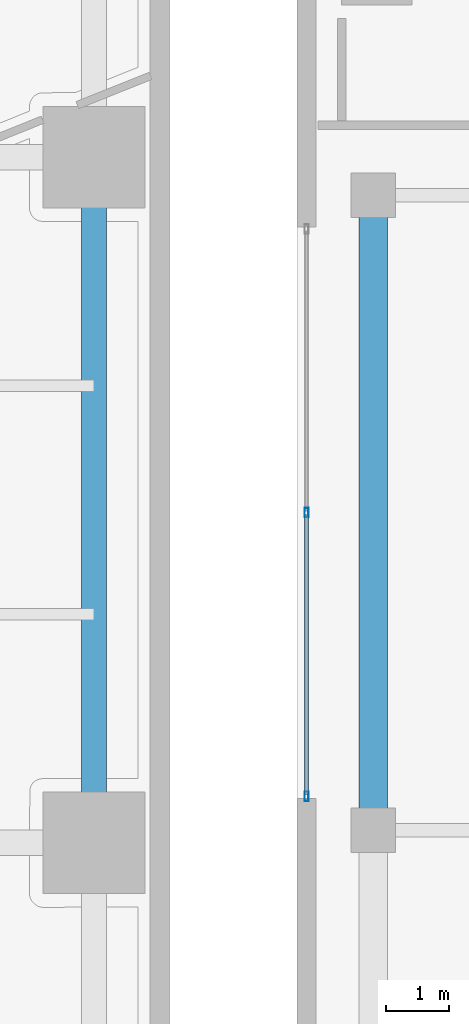
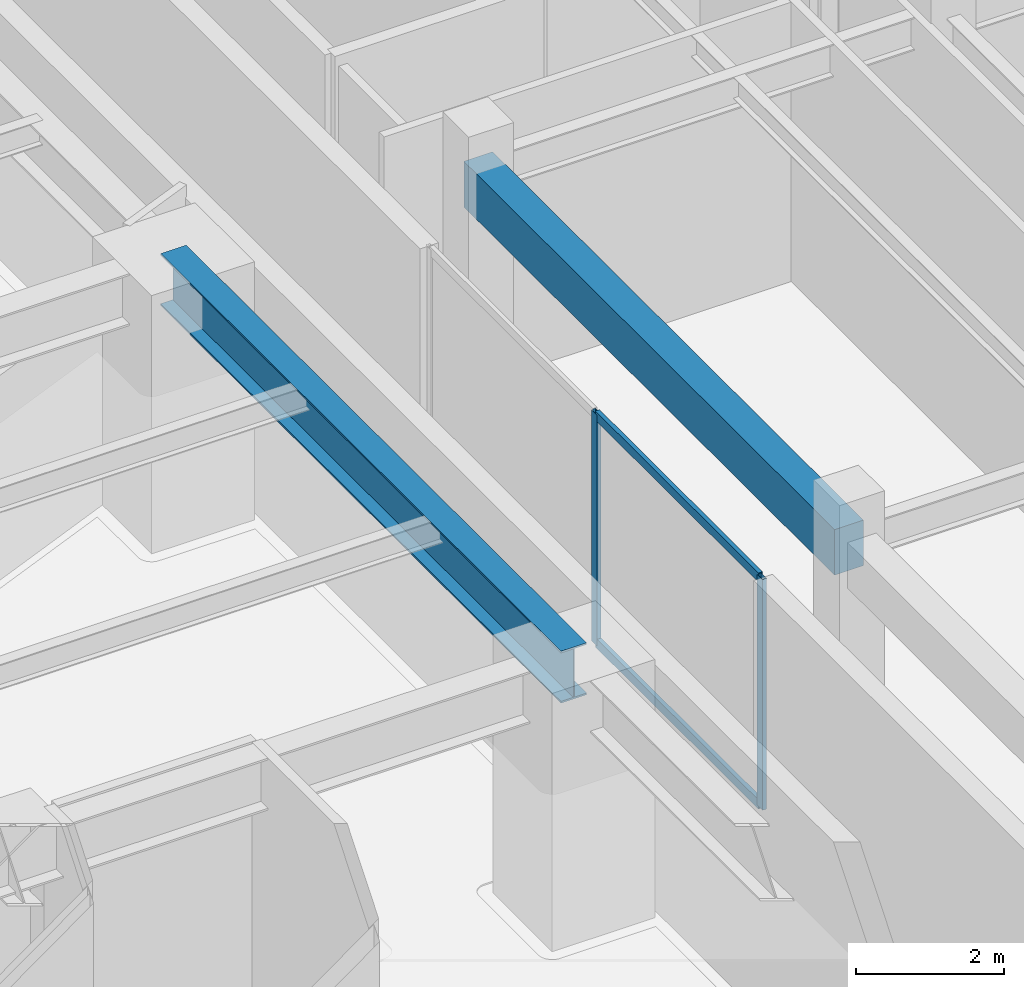
# One storey, part 8 of 25: 4 members, 2 beams, 1 element without a shape of its own.
"""IFC4 building model written with IfcOpenShell, lengths in metres."""

from ifc_helpers import new_model, si_unit, direction, frame, origin, origin_2d, place, context, subcontext, project, spatial, rectangle, hollow_rectangle, i_section, extrude, source, transform, mapped, material, layer, layer_set, material_profile, profile_set, type_object, type_shapes, element, aggregate, save


model = new_model("IFC4")

# Units and contexts
model_context = context("Model", 3, precision=1e-05, world=origin(), true_north=direction((0.0, 1.0)))
body_context = subcontext(model_context, "Body", "Model", "MODEL_VIEW")
ifc_project = project(units=[si_unit("LENGTHUNIT", "METRE"), si_unit("AREAUNIT", "SQUARE_METRE"), si_unit("VOLUMEUNIT", "CUBIC_METRE"), si_unit("PLANEANGLEUNIT", "RADIAN"), si_unit("MASSUNIT", "GRAM", prefix="KILO")], contexts=[model_context])

# Site, building, storey
site_placement = place(None, origin())
site = spatial("IfcSite", under=ifc_project, at=site_placement, CompositionType="ELEMENT")
building_placement = place(site_placement, origin())
building = spatial("IfcBuilding", under=site, at=building_placement, Name="Talar Marvaseh", CompositionType="ELEMENT")
storey_placement = place(building_placement, frame((0.0, 0.0, 14.39990234375)))
storey = spatial("IfcBuildingStorey", under=building, at=storey_placement, Name="L03", CompositionType="ELEMENT", Elevation=14.39990234375)

# Beams
ifc_material_1 = material(Name="Steel S355", Category="steel")
ifc_material_profile_1 = material_profile(ifc_material_1, i_section(OverallWidth=0.39990234375, OverallDepth=0.85498046875, WebThickness=0.018310546875, FlangeThickness=0.029296875, at=origin_2d()), Name="W840x299")
ifc_profile_set_1 = profile_set([ifc_material_profile_1], Name="Steel S355")
beam_type_1 = type_object("IfcBeamType", Name="Concourse Primary Girder W840x299", PredefinedType="BEAM", material=ifc_profile_set_1)
beam_1_placement = place(storey_placement, frame((50.800048828125, 25.800048828125, 3.822509765625), z_axis=(0.0, 1.0, 0.0), x_axis=(-1.0, 0.0, 0.0)))
element("IfcBeam", 1, at=beam_1_placement, inside=storey, type_object=beam_type_1, Name="L03 Concourse Primary Girder W840x299", PredefinedType="BEAM", context=body_context, shape_type="SweptSolid", body=[
    extrude(i_section(OverallWidth=0.39990234375, OverallDepth=0.85498046875, WebThickness=0.018310546875, FlangeThickness=0.029296875, at=origin_2d()), origin(), (0.0, 0.0, 1.0), 10.800048828125),
])
ifc_material_2 = material(Name="Concrete C40/50", Category="concrete")
ifc_material_profile_2 = material_profile(ifc_material_2, rectangle(XDim=0.449951171875, YDim=0.75, at=origin_2d()), Name="RC450x750")
ifc_profile_set_2 = profile_set([ifc_material_profile_2], Name="Concrete C40/50")
beam_type_2 = type_object("IfcBeamType", Name="Market Concrete Edge Beam RC450x750", PredefinedType="SPANDREL", material=ifc_profile_set_2)
beam_2_placement = place(storey_placement, frame((55.199951171875, 26.0, 4.22509765625), z_axis=(0.0, 1.0, 0.0), x_axis=(-1.0, 0.0, 0.0)))
element("IfcBeam", 2, at=beam_2_placement, inside=storey, type_object=beam_type_2, Name="L03 Market Concrete Edge Beam RC450x750", PredefinedType="SPANDREL", context=body_context, shape_type="SweptSolid", body=[
    extrude(rectangle(XDim=0.449951171875, YDim=0.75, at=origin_2d()), origin(), (0.0, 0.0, 1.0), 10.0),
])

# Curtain wall, members
ifc_material_3 = material(Name="Architectural Aluminium", Category="aluminium")
ifc_layer = layer(ifc_material_3, 0.169921875)
ifc_layer_set = layer_set([ifc_layer], Name="Architectural Aluminium")
curtain_wall_type = type_object("IfcCurtainWallType", Name="Market Hall Clerestory and Courtyard Curtain Wall", PredefinedType="NOTDEFINED", material=ifc_layer_set)
curtain_wall_placement = place(storey_placement, origin())
curtain_wall = element("IfcCurtainWall", 3, at=curtain_wall_placement, inside=storey, type_object=curtain_wall_type, Name="L03 Market Hall Clerestory and Courtyard Curtain Wall", PredefinedType="NOTDEFINED")
ifc_material_profile_3 = material_profile(ifc_material_3, hollow_rectangle(XDim=0.06494140625, YDim=0.14990234375, WallThickness=0.00390625, at=origin_2d()), Name="RHS150x65x4")
ifc_profile_set_3 = profile_set([ifc_material_profile_3], Name="Architectural Aluminium")
member_type_1 = type_object("IfcMemberType", Name="Unitised Curtain Wall Slim Transom RHS150x65x4", PredefinedType="USERDEFINED", material=ifc_profile_set_3)
shared_shape_1 = source(origin(), body_context, "Body", "SweptSolid", [
    extrude(hollow_rectangle(XDim=0.06494140625, YDim=0.14990234375, WallThickness=0.00390625, at=origin_2d()), origin(), (0.0, 0.0, 1.0), 4.402587890625),
])
type_shapes(member_type_1, [shared_shape_1])
member_1_placement = place(storey_placement, frame((54.14990234375, 26.56494140625, 0.03271484375), z_axis=(0.0, 1.0, 0.0), x_axis=(-1.0, 0.0, 0.0)))
member_1 = element("IfcMember", 4, at=member_1_placement, type_object=member_type_1, Name="CW-MKT transom 1.1", ObjectType="TRANSOM", PredefinedType="USERDEFINED", context=body_context, shape_type="MappedRepresentation", body=[
    mapped(shared_shape_1, transform((0.0, 0.0, 0.0), x_axis=(1.0, 0.0, 0.0), y_axis=(0.0, 1.0, 0.0), z_axis=(0.0, 0.0, 1.0), scale=1.0)),
])
member_2_placement = place(storey_placement, frame((54.14990234375, 26.56494140625, 3.767578125), z_axis=(0.0, 1.0, 0.0), x_axis=(-1.0, 0.0, 0.0)))
member_2 = element("IfcMember", 5, at=member_2_placement, type_object=member_type_1, Name="CW-MKT transom 1.2", ObjectType="TRANSOM", PredefinedType="USERDEFINED", context=body_context, shape_type="MappedRepresentation", body=[
    mapped(shared_shape_1, transform((0.0, 0.0, 0.0), x_axis=(1.0, 0.0, 0.0), y_axis=(0.0, 1.0, 0.0), z_axis=(0.0, 0.0, 1.0), scale=1.0)),
])
ifc_material_profile_4 = material_profile(ifc_material_3, hollow_rectangle(XDim=0.06494140625, YDim=0.14990234375, WallThickness=0.00390625, at=origin_2d()), Name="RHS150x65x4")
ifc_profile_set_4 = profile_set([ifc_material_profile_4], Name="Architectural Aluminium")
member_type_2 = type_object("IfcMemberType", Name="Unitised Curtain Wall Slim Mullion RHS150x65x4", PredefinedType="MULLION", material=ifc_profile_set_4)
shared_shape_2 = source(origin(), body_context, "Body", "SweptSolid", [
    extrude(hollow_rectangle(XDim=0.06494140625, YDim=0.14990234375, WallThickness=0.00390625, at=origin_2d()), origin(), (0.0, 0.0, 1.0), 3.800048828125),
])
type_shapes(member_type_2, [shared_shape_2])
member_3_placement = place(storey_placement, frame((54.14990234375, 26.532470703125, 0.0), z_axis=(0.0, 0.0, 1.0), x_axis=(-1.0, 0.0, 0.0)))
member_3 = element("IfcMember", 6, at=member_3_placement, type_object=member_type_2, Name="CW-MKT mullion 1", PredefinedType="MULLION", context=body_context, shape_type="MappedRepresentation", body=[
    mapped(shared_shape_2, transform((0.0, 0.0, 0.0), x_axis=(1.0, 0.0, 0.0), y_axis=(0.0, 1.0, 0.0), z_axis=(0.0, 0.0, 1.0), scale=1.0)),
])
member_4_placement = place(storey_placement, frame((54.14990234375, 31.0, 0.0), z_axis=(0.0, 0.0, 1.0), x_axis=(-1.0, 0.0, 0.0)))
member_4 = element("IfcMember", 7, at=member_4_placement, type_object=member_type_2, Name="CW-MKT mullion 2", PredefinedType="MULLION", context=body_context, shape_type="MappedRepresentation", body=[
    mapped(shared_shape_2, transform((0.0, 0.0, 0.0), x_axis=(1.0, 0.0, 0.0), y_axis=(0.0, 1.0, 0.0), z_axis=(0.0, 0.0, 1.0), scale=1.0)),
])
aggregate(curtain_wall, [member_3, member_4, member_1, member_2])

save(model, "model.ifc")
